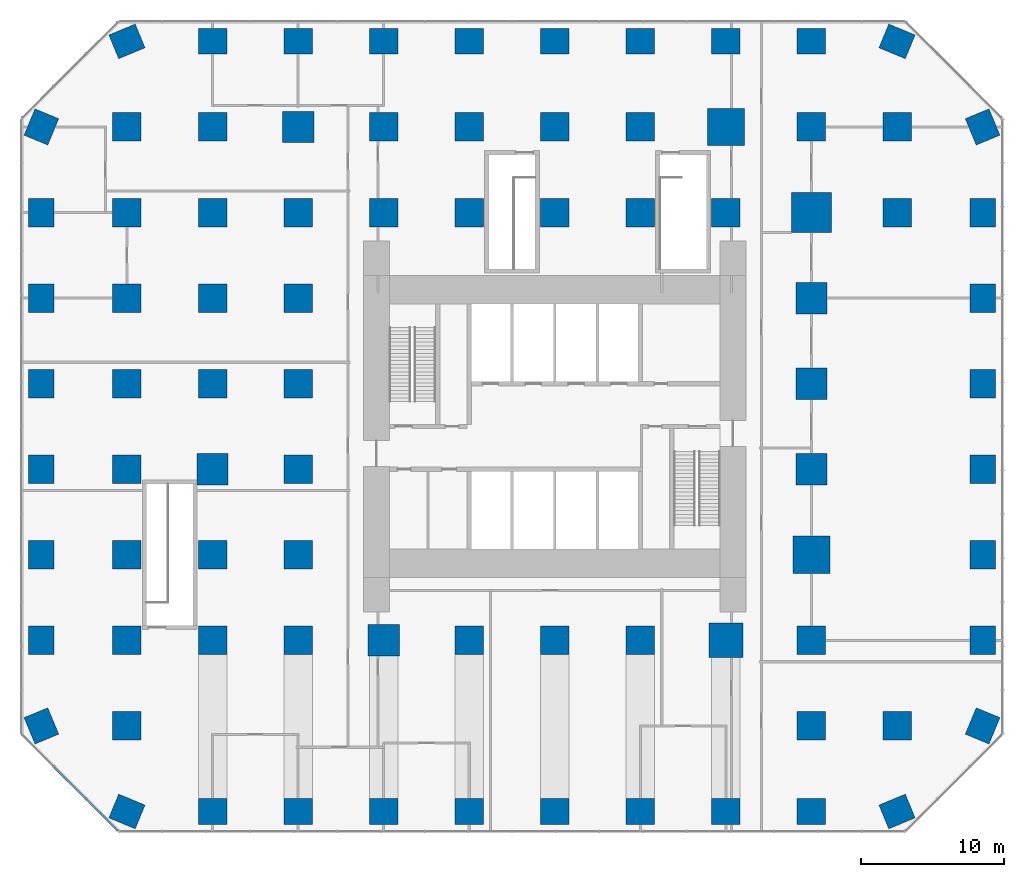
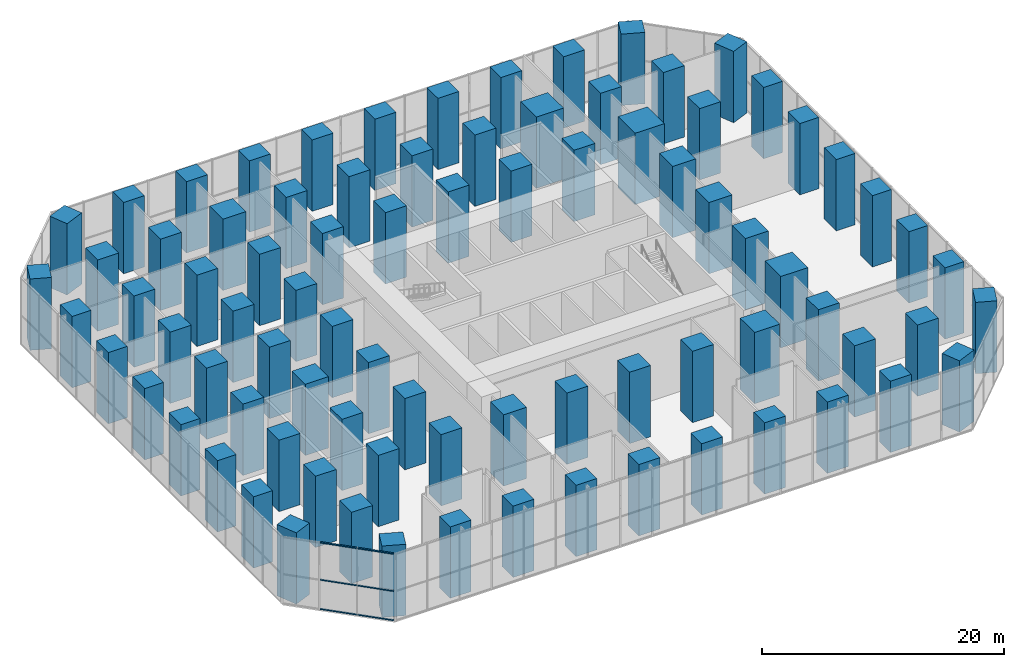
# One storey, part 1 of 16: 84 columns, 6 members, 1 element without a shape of its own.
"""IFC4 building model written with IfcOpenShell, lengths in metres."""

from ifc_helpers import new_model, si_unit, direction, frame, origin, origin_2d, place, context, subcontext, project, spatial, rectangle, extrude, material, layer, layer_set, material_profile, profile_set, type_object, element, aggregate, save


model = new_model("IFC4")

# Units and contexts
model_context = context("Model", 3, precision=1e-05, world=origin(), true_north=direction((0.0, 1.0)))
body_context = subcontext(model_context, "Body", "Model", "MODEL_VIEW")
ifc_project = project(units=[si_unit("LENGTHUNIT", "METRE"), si_unit("AREAUNIT", "SQUARE_METRE"), si_unit("VOLUMEUNIT", "CUBIC_METRE"), si_unit("PLANEANGLEUNIT", "RADIAN"), si_unit("MASSUNIT", "GRAM", prefix="KILO")], contexts=[model_context])

# Site, building, storey
site_placement = place(None, origin())
site = spatial("IfcSite", under=ifc_project, at=site_placement, CompositionType="ELEMENT")
building_placement = place(site_placement, origin())
building = spatial("IfcBuilding", under=site, at=building_placement, Name="Highveld Stack Headquarters", CompositionType="ELEMENT")
storey_placement = place(building_placement, frame((0.0, 0.0, 11.0)))
storey = spatial("IfcBuildingStorey", under=building, at=storey_placement, Name="L02", CompositionType="ELEMENT", Elevation=11.0)

# Columns
ifc_material_1 = material(Name="Concrete C60/75", Category="concrete")
ifc_material_profile_1 = material_profile(ifc_material_1, rectangle(XDim=2.0, YDim=1.800048828125, at=origin_2d()), Name="RC 2000x1800")
ifc_profile_set_1 = profile_set([ifc_material_profile_1], Name="Concrete C60/75")
column_type_1 = type_object("IfcColumnType", Name="COLUMN RC 2000x1800 C60/75", PredefinedType="COLUMN", material=ifc_profile_set_1)
for number, where, z_axis, x_axis, name in (
    (1, (-30.0, -18.0, 0.0), (0.0, 0.0, 1.0), (-0.382683432365, 0.923879532511, 0.0), "Column 1/B L02"),
    (2, (-30.0, -12.0, 0.0), (0.0, 0.0, 1.0), (0.0, 1.0, 0.0), "Column 1/C L02"),
    (3, (-30.0, -6.0, 0.0), (0.0, 0.0, 1.0), (0.0, 1.0, 0.0), "Column 1/D L02"),
    (4, (-30.0, 0.0, 0.0), (0.0, 0.0, 1.0), (0.0, 1.0, 0.0), "Column 1/E L02"),
    (5, (-30.0, 6.0, 0.0), (0.0, 0.0, 1.0), (0.0, 1.0, 0.0), "Column 1/F L02"),
    (6, (-30.0, 12.0, 0.0), (0.0, 0.0, 1.0), (0.0, 1.0, 0.0), "Column 1/G L02"),
    (7, (-30.0, 18.0, 0.0), (0.0, 0.0, 1.0), (0.0, 1.0, 0.0), "Column 1/H L02"),
    (8, (-30.0, 24.0, 0.0), (0.0, 0.0, 1.0), (0.382683432365, 0.923879532511, 0.0), "Column 1/J L02"),
    (9, (-24.0, -24.0, 0.0), (0.0, 0.0, 1.0), (-0.923879532511, 0.382683432365, 0.0), "Column 2/A L02"),
    (10, (-24.0, 30.0, 0.0), (0.0, 0.0, 1.0), (0.923879532511, 0.382683432365, 0.0), "Column 2/K L02"),
    (11, (-18.0, -24.0, 0.0), (0.0, 0.0, 1.0), (1.0, 0.0, 0.0), "Column 3/A L02"),
    (12, (-18.0, 30.0, 0.0), (0.0, 0.0, 1.0), (1.0, 0.0, 0.0), "Column 3/K L02"),
    (13, (-12.0, -24.0, 0.0), (0.0, 0.0, 1.0), (1.0, 0.0, 0.0), "Column 4/A L02"),
    (14, (-12.0, 30.0, 0.0), (0.0, 0.0, 1.0), (1.0, 0.0, 0.0), "Column 4/K L02"),
    (15, (-6.0, -24.0, 0.0), (0.0, 0.0, 1.0), (1.0, 0.0, 0.0), "Column 5/A L02"),
    (16, (-6.0, 30.0, 0.0), (0.0, 0.0, 1.0), (1.0, 0.0, 0.0), "Column 5/K L02"),
    (17, (0.0, -24.0, 0.0), (0.0, 0.0, 1.0), (1.0, 0.0, 0.0), "Column 6/A L02"),
    (18, (0.0, 30.0, 0.0), (0.0, 0.0, 1.0), (1.0, 0.0, 0.0), "Column 6/K L02"),
    (19, (6.0, -24.0, 0.0), (0.0, 0.0, 1.0), (1.0, 0.0, 0.0), "Column 7/A L02"),
    (20, (6.0, 30.0, 0.0), (0.0, 0.0, 1.0), (1.0, 0.0, 0.0), "Column 7/K L02"),
    (21, (12.0, -24.0, 0.0), (0.0, 0.0, 1.0), (1.0, 0.0, 0.0), "Column 8/A L02"),
    (22, (12.0, 30.0, 0.0), (0.0, 0.0, 1.0), (1.0, 0.0, 0.0), "Column 8/K L02"),
    (23, (18.0, -24.0, 0.0), (0.0, 0.0, 1.0), (1.0, 0.0, 0.0), "Column 9/A L02"),
    (24, (18.0, 30.0, 0.0), (0.0, 0.0, 1.0), (1.0, 0.0, 0.0), "Column 9/K L02"),
    (25, (24.0, -24.0, 0.0), (0.0, 0.0, 1.0), (1.0, 0.0, 0.0), "Column 10/A L02"),
    (26, (24.0, 30.0, 0.0), (0.0, 0.0, 1.0), (1.0, 0.0, 0.0), "Column 10/K L02"),
    (27, (30.0, -24.0, 0.0), (0.0, 0.0, 1.0), (-0.923879532511, -0.382683432365, 0.0), "Column 11/A L02"),
    (28, (30.0, 30.0, 0.0), (0.0, 0.0, 1.0), (0.923879532511, -0.382683432365, 0.0), "Column 11/K L02"),
    (29, (36.0, -18.0, 0.0), (0.0, 0.0, 1.0), (-0.382683432365, -0.923879532511, 0.0), "Column 12/B L02"),
    (30, (36.0, -12.0, 0.0), (0.0, 0.0, 1.0), (0.0, 1.0, 0.0), "Column 12/C L02"),
    (31, (36.0, -6.0, 0.0), (0.0, 0.0, 1.0), (0.0, 1.0, 0.0), "Column 12/D L02"),
    (32, (36.0, 0.0, 0.0), (0.0, 0.0, 1.0), (0.0, 1.0, 0.0), "Column 12/E L02"),
    (33, (36.0, 6.0, 0.0), (0.0, 0.0, 1.0), (0.0, 1.0, 0.0), "Column 12/F L02"),
    (34, (36.0, 12.0, 0.0), (0.0, 0.0, 1.0), (0.0, 1.0, 0.0), "Column 12/G L02"),
    (35, (36.0, 18.0, 0.0), (0.0, 0.0, 1.0), (0.0, 1.0, 0.0), "Column 12/H L02"),
    (36, (36.0, 24.0, 0.0), (0.0, 0.0, 1.0), (0.382683432365, -0.923879532511, 0.0), "Column 12/J L02"),
):
    element("IfcColumn", number, at=place(storey_placement, frame(where, z_axis=z_axis, x_axis=x_axis)), inside=storey, type_object=column_type_1, Name=name, PredefinedType="COLUMN", context=body_context, shape_type="SweptSolid", body=[
        extrude(rectangle(XDim=2.0, YDim=1.800048828125, at=origin_2d()), origin(), (0.0, 0.0, 1.0), 7.199951171875),
    ])
ifc_material_2 = material(Name="Concrete C60/75", Category="concrete")
ifc_material_profile_2 = material_profile(ifc_material_2, rectangle(XDim=2.0, YDim=2.0, at=origin_2d()), Name="RC 2000x2000")
ifc_profile_set_2 = profile_set([ifc_material_profile_2], Name="Concrete C60/75")
column_type_2 = type_object("IfcColumnType", Name="COLUMN RC 2000x2000 C60/75", PredefinedType="COLUMN", material=ifc_profile_set_2)
for number, where, z_axis, x_axis, name in (
    (37, (-24.0, -18.0, 0.0), (0.0, 0.0, 1.0), (1.0, 0.0, 0.0), "Column 2/B L02"),
    (38, (-24.0, -12.0, 0.0), (0.0, 0.0, 1.0), (1.0, 0.0, 0.0), "Column 2/C L02"),
    (39, (-24.0, -6.0, 0.0), (0.0, 0.0, 1.0), (1.0, 0.0, 0.0), "Column 2/D L02"),
    (40, (-24.0, 0.0, 0.0), (0.0, 0.0, 1.0), (1.0, 0.0, 0.0), "Column 2/E L02"),
    (41, (-24.0, 6.0, 0.0), (0.0, 0.0, 1.0), (1.0, 0.0, 0.0), "Column 2/F L02"),
    (42, (-24.0, 12.0, 0.0), (0.0, 0.0, 1.0), (1.0, 0.0, 0.0), "Column 2/G L02"),
    (43, (-24.0, 18.0, 0.0), (0.0, 0.0, 1.0), (1.0, 0.0, 0.0), "Column 2/H L02"),
    (44, (-24.0, 24.0, 0.0), (0.0, 0.0, 1.0), (1.0, 0.0, 0.0), "Column 2/J L02"),
    (45, (-18.0, -12.0, 0.0), (0.0, 0.0, 1.0), (1.0, 0.0, 0.0), "Column 3/C L02"),
    (46, (-18.0, -6.0, 0.0), (0.0, 0.0, 1.0), (1.0, 0.0, 0.0), "Column 3/D L02"),
    (47, (-18.0, 6.0, 0.0), (0.0, 0.0, 1.0), (1.0, 0.0, 0.0), "Column 3/F L02"),
    (48, (-18.0, 12.0, 0.0), (0.0, 0.0, 1.0), (1.0, 0.0, 0.0), "Column 3/G L02"),
    (49, (-18.0, 18.0, 0.0), (0.0, 0.0, 1.0), (1.0, 0.0, 0.0), "Column 3/H L02"),
    (50, (-18.0, 24.0, 0.0), (0.0, 0.0, 1.0), (1.0, 0.0, 0.0), "Column 3/J L02"),
    (51, (-12.0, -12.0, 0.0), (0.0, 0.0, 1.0), (1.0, 0.0, 0.0), "Column 4/C L02"),
    (52, (-12.0, -6.0, 0.0), (0.0, 0.0, 1.0), (1.0, 0.0, 0.0), "Column 4/D L02"),
    (53, (-12.0, 0.0, 0.0), (0.0, 0.0, 1.0), (1.0, 0.0, 0.0), "Column 4/E L02"),
    (54, (-12.0, 6.0, 0.0), (0.0, 0.0, 1.0), (1.0, 0.0, 0.0), "Column 4/F L02"),
    (55, (-12.0, 12.0, 0.0), (0.0, 0.0, 1.0), (1.0, 0.0, 0.0), "Column 4/G L02"),
    (56, (-12.0, 18.0, 0.0), (0.0, 0.0, 1.0), (1.0, 0.0, 0.0), "Column 4/H L02"),
    (57, (-6.0, 18.0, 0.0), (0.0, 0.0, 1.0), (1.0, 0.0, 0.0), "Column 5/H L02"),
    (58, (-6.0, 24.0, 0.0), (0.0, 0.0, 1.0), (1.0, 0.0, 0.0), "Column 5/J L02"),
    (59, (0.0, -12.0, 0.0), (0.0, 0.0, 1.0), (1.0, 0.0, 0.0), "Column 6/C L02"),
    (60, (0.0, 18.0, 0.0), (0.0, 0.0, 1.0), (1.0, 0.0, 0.0), "Column 6/H L02"),
    (61, (0.0, 24.0, 0.0), (0.0, 0.0, 1.0), (1.0, 0.0, 0.0), "Column 6/J L02"),
    (62, (6.0, -12.0, 0.0), (0.0, 0.0, 1.0), (1.0, 0.0, 0.0), "Column 7/C L02"),
    (63, (6.0, 18.0, 0.0), (0.0, 0.0, 1.0), (1.0, 0.0, 0.0), "Column 7/H L02"),
    (64, (6.0, 24.0, 0.0), (0.0, 0.0, 1.0), (1.0, 0.0, 0.0), "Column 7/J L02"),
    (65, (12.0, -12.0, 0.0), (0.0, 0.0, 1.0), (1.0, 0.0, 0.0), "Column 8/C L02"),
    (66, (12.0, 18.0, 0.0), (0.0, 0.0, 1.0), (1.0, 0.0, 0.0), "Column 8/H L02"),
    (67, (12.0, 24.0, 0.0), (0.0, 0.0, 1.0), (1.0, 0.0, 0.0), "Column 8/J L02"),
    (68, (18.0, 18.0, 0.0), (0.0, 0.0, 1.0), (1.0, 0.0, 0.0), "Column 9/H L02"),
    (69, (24.0, -18.0, 0.0), (0.0, 0.0, 1.0), (1.0, 0.0, 0.0), "Column 10/B L02"),
    (70, (24.0, -12.0, 0.0), (0.0, 0.0, 1.0), (1.0, 0.0, 0.0), "Column 10/C L02"),
    (71, (24.0, 24.0, 0.0), (0.0, 0.0, 1.0), (1.0, 0.0, 0.0), "Column 10/J L02"),
    (72, (30.0, -18.0, 0.0), (0.0, 0.0, 1.0), (1.0, 0.0, 0.0), "Column 11/B L02"),
    (73, (30.0, 18.0, 0.0), (0.0, 0.0, 1.0), (1.0, 0.0, 0.0), "Column 11/H L02"),
    (74, (30.0, 24.0, 0.0), (0.0, 0.0, 1.0), (1.0, 0.0, 0.0), "Column 11/J L02"),
):
    element("IfcColumn", number, at=place(storey_placement, frame(where, z_axis=z_axis, x_axis=x_axis)), inside=storey, type_object=column_type_2, Name=name, PredefinedType="COLUMN", context=body_context, shape_type="SweptSolid", body=[
        extrude(rectangle(XDim=2.0, YDim=2.0, at=origin_2d()), origin(), (0.0, 0.0, 1.0), 7.199951171875),
    ])
ifc_material_3 = material(Name="Concrete C60/75", Category="concrete")
ifc_material_profile_3 = material_profile(ifc_material_3, rectangle(XDim=2.199951171875, YDim=2.199951171875, at=origin_2d()), Name="RC 2200x2200")
ifc_profile_set_3 = profile_set([ifc_material_profile_3], Name="Concrete C60/75")
column_type_3 = type_object("IfcColumnType", Name="COLUMN RC 2200x2200 C60/75", PredefinedType="COLUMN", material=ifc_profile_set_3)
for number, where, z_axis, x_axis, name in (
    (75, (-18.0, 0.0, 0.0), (0.0, 0.0, 1.0), (1.0, 0.0, 0.0), "Column 3/E L02"),
    (76, (-12.0, 24.0, 0.0), (0.0, 0.0, 1.0), (1.0, 0.0, 0.0), "Column 4/J L02"),
    (77, (-6.0, -12.0, 0.0), (0.0, 0.0, 1.0), (1.0, 0.0, 0.0), "Column 5/C L02"),
    (78, (24.0, 0.0, 0.0), (0.0, 0.0, 1.0), (1.0, 0.0, 0.0), "Column 10/E L02"),
    (79, (24.0, 6.0, 0.0), (0.0, 0.0, 1.0), (1.0, 0.0, 0.0), "Column 10/F L02"),
    (80, (24.0, 12.0, 0.0), (0.0, 0.0, 1.0), (1.0, 0.0, 0.0), "Column 10/G L02"),
):
    element("IfcColumn", number, at=place(storey_placement, frame(where, z_axis=z_axis, x_axis=x_axis)), inside=storey, type_object=column_type_3, Name=name, PredefinedType="COLUMN", context=body_context, shape_type="SweptSolid", body=[
        extrude(rectangle(XDim=2.199951171875, YDim=2.199951171875, at=origin_2d()), origin(), (0.0, 0.0, 1.0), 7.199951171875),
    ])
ifc_material_4 = material(Name="Concrete C60/75", Category="concrete")
ifc_material_profile_4 = material_profile(ifc_material_4, rectangle(XDim=2.39990234375, YDim=2.39990234375, at=origin_2d()), Name="RC 2400x2400")
ifc_profile_set_4 = profile_set([ifc_material_profile_4], Name="Concrete C60/75")
column_type_4 = type_object("IfcColumnType", Name="COLUMN RC 2400x2400 C60/75", PredefinedType="COLUMN", material=ifc_profile_set_4)
column_1_placement = place(storey_placement, frame((18.0, -12.0, 0.0), z_axis=(0.0, 0.0, 1.0), x_axis=(1.0, 0.0, 0.0)))
element("IfcColumn", 81, at=column_1_placement, inside=storey, type_object=column_type_4, Name="Column 9/C L02", PredefinedType="COLUMN", context=body_context, shape_type="SweptSolid", body=[
    extrude(rectangle(XDim=2.39990234375, YDim=2.39990234375, at=origin_2d()), origin(), (0.0, 0.0, 1.0), 7.199951171875),
])
ifc_material_5 = material(Name="Concrete C60/75", Category="concrete")
ifc_material_profile_5 = material_profile(ifc_material_5, rectangle(XDim=2.60009765625, YDim=2.60009765625, at=origin_2d()), Name="RC 2600x2600")
ifc_profile_set_5 = profile_set([ifc_material_profile_5], Name="Concrete C60/75")
column_type_5 = type_object("IfcColumnType", Name="COLUMN RC 2600x2600 C60/75", PredefinedType="COLUMN", material=ifc_profile_set_5)
for number, where, z_axis, x_axis, name in (
    (82, (18.0, 24.0, 0.0), (0.0, 0.0, 1.0), (1.0, 0.0, 0.0), "Column 9/J L02"),
    (83, (24.0, -6.0, 0.0), (0.0, 0.0, 1.0), (1.0, 0.0, 0.0), "Column 10/D L02"),
):
    element("IfcColumn", number, at=place(storey_placement, frame(where, z_axis=z_axis, x_axis=x_axis)), inside=storey, type_object=column_type_5, Name=name, PredefinedType="COLUMN", context=body_context, shape_type="SweptSolid", body=[
        extrude(rectangle(XDim=2.60009765625, YDim=2.60009765625, at=origin_2d()), origin(), (0.0, 0.0, 1.0), 7.199951171875),
    ])
ifc_material_6 = material(Name="Concrete C60/75", Category="concrete")
ifc_material_profile_6 = material_profile(ifc_material_6, rectangle(XDim=2.800048828125, YDim=2.800048828125, at=origin_2d()), Name="RC 2800x2800")
ifc_profile_set_6 = profile_set([ifc_material_profile_6], Name="Concrete C60/75")
column_type_6 = type_object("IfcColumnType", Name="COLUMN RC 2800x2800 C60/75", PredefinedType="COLUMN", material=ifc_profile_set_6)
column_2_placement = place(storey_placement, frame((24.0, 18.0, 0.0), z_axis=(0.0, 0.0, 1.0), x_axis=(1.0, 0.0, 0.0)))
element("IfcColumn", 84, at=column_2_placement, inside=storey, type_object=column_type_6, Name="Column 10/H L02", PredefinedType="COLUMN", context=body_context, shape_type="SweptSolid", body=[
    extrude(rectangle(XDim=2.800048828125, YDim=2.800048828125, at=origin_2d()), origin(), (0.0, 0.0, 1.0), 7.199951171875),
])

# Curtain wall, members
ifc_material_7 = material(Name="Aluminium bronze anodised", Category="aluminium")
ifc_layer = layer(ifc_material_7, 0.199951171875)
ifc_layer_set = layer_set([ifc_layer], Name="Aluminium bronze anodised")
curtain_wall_type = type_object("IfcCurtainWallType", Name="CW3 PODIUM STICK CURTAIN WALL", PredefinedType="NOTDEFINED", material=ifc_layer_set)
curtain_wall_placement = place(storey_placement, origin())
curtain_wall = element("IfcCurtainWall", 85, at=curtain_wall_placement, inside=storey, type_object=curtain_wall_type, Name="Curtain wall CW3 L02 SW", PredefinedType="NOTDEFINED")
ifc_material_8 = material(Name="Aluminium bronze anodised", Category="aluminium")
ifc_material_profile_7 = material_profile(ifc_material_8, rectangle(XDim=0.14990234375, YDim=0.10009765625, at=origin_2d()), Name="CW3 TRANSOM 150x100")
ifc_profile_set_7 = profile_set([ifc_material_profile_7], Name="Aluminium bronze anodised")
member_type = type_object("IfcMemberType", Name="CW3 STACK TRANSOM 150x100", PredefinedType="USERDEFINED", material=ifc_profile_set_7)
member_1_placement = place(storey_placement, frame((-29.103759765625, -20.876220703125, 0.050048828125), z_axis=(0.707106781187, -0.707106781187, 0.0), x_axis=(0.707106781187, 0.707106781187, 0.0)))
member_1 = element("IfcMember", 86, at=member_1_placement, type_object=member_type, Name="CW3 transom L02 2.1", ObjectType="TRANSOM", PredefinedType="USERDEFINED", context=body_context, shape_type="SweptSolid", body=[
    extrude(rectangle(XDim=0.14990234375, YDim=0.10009765625, at=origin_2d()), origin(), (0.0, 0.0, 1.0), 3.150146484375),
])
member_2_placement = place(storey_placement, frame((-29.103759765625, -20.876220703125, 3.0), z_axis=(0.707106781187, -0.707106781187, 0.0), x_axis=(0.707106781187, 0.707106781187, 0.0)))
member_2 = element("IfcMember", 87, at=member_2_placement, type_object=member_type, Name="CW3 transom L02 2.2", ObjectType="TRANSOM", PredefinedType="USERDEFINED", context=body_context, shape_type="SweptSolid", body=[
    extrude(rectangle(XDim=0.14990234375, YDim=0.10009765625, at=origin_2d()), origin(), (0.0, 0.0, 1.0), 3.150146484375),
])
member_3_placement = place(storey_placement, frame((-29.103759765625, -20.876220703125, 6.75), z_axis=(0.707106781187, -0.707106781187, 0.0), x_axis=(0.707106781187, 0.707106781187, 0.0)))
member_3 = element("IfcMember", 88, at=member_3_placement, type_object=member_type, Name="CW3 transom L02 2.3", ObjectType="TRANSOM", PredefinedType="USERDEFINED", context=body_context, shape_type="SweptSolid", body=[
    extrude(rectangle(XDim=0.14990234375, YDim=0.10009765625, at=origin_2d()), origin(), (0.0, 0.0, 1.0), 3.150146484375),
])
member_4_placement = place(storey_placement, frame((-26.830322265625, -23.149658203125, 0.050048828125), z_axis=(0.707106781187, -0.707106781187, 0.0), x_axis=(0.707106781187, 0.707106781187, 0.0)))
member_4 = element("IfcMember", 89, at=member_4_placement, type_object=member_type, Name="CW3 transom L02 3.1", ObjectType="TRANSOM", PredefinedType="USERDEFINED", context=body_context, shape_type="SweptSolid", body=[
    extrude(rectangle(XDim=0.14990234375, YDim=0.10009765625, at=origin_2d()), origin(), (0.0, 0.0, 1.0), 3.08251953125),
])
member_5_placement = place(storey_placement, frame((-26.830322265625, -23.149658203125, 3.0), z_axis=(0.707106781187, -0.707106781187, 0.0), x_axis=(0.707106781187, 0.707106781187, 0.0)))
member_5 = element("IfcMember", 90, at=member_5_placement, type_object=member_type, Name="CW3 transom L02 3.2", ObjectType="TRANSOM", PredefinedType="USERDEFINED", context=body_context, shape_type="SweptSolid", body=[
    extrude(rectangle(XDim=0.14990234375, YDim=0.10009765625, at=origin_2d()), origin(), (0.0, 0.0, 1.0), 3.08251953125),
])
member_6_placement = place(storey_placement, frame((-26.830322265625, -23.149658203125, 6.75), z_axis=(0.707106781187, -0.707106781187, 0.0), x_axis=(0.707106781187, 0.707106781187, 0.0)))
member_6 = element("IfcMember", 91, at=member_6_placement, type_object=member_type, Name="CW3 transom L02 3.3", ObjectType="TRANSOM", PredefinedType="USERDEFINED", context=body_context, shape_type="SweptSolid", body=[
    extrude(rectangle(XDim=0.14990234375, YDim=0.10009765625, at=origin_2d()), origin(), (0.0, 0.0, 1.0), 3.08251953125),
])
aggregate(curtain_wall, [member_1, member_2, member_3, member_4, member_5, member_6])

save(model, "model.ifc")
